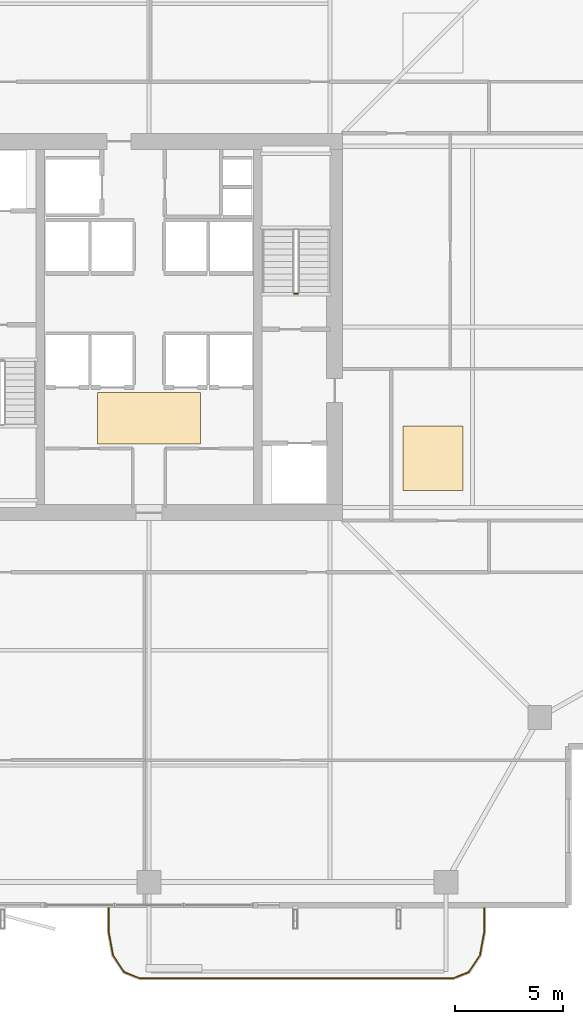
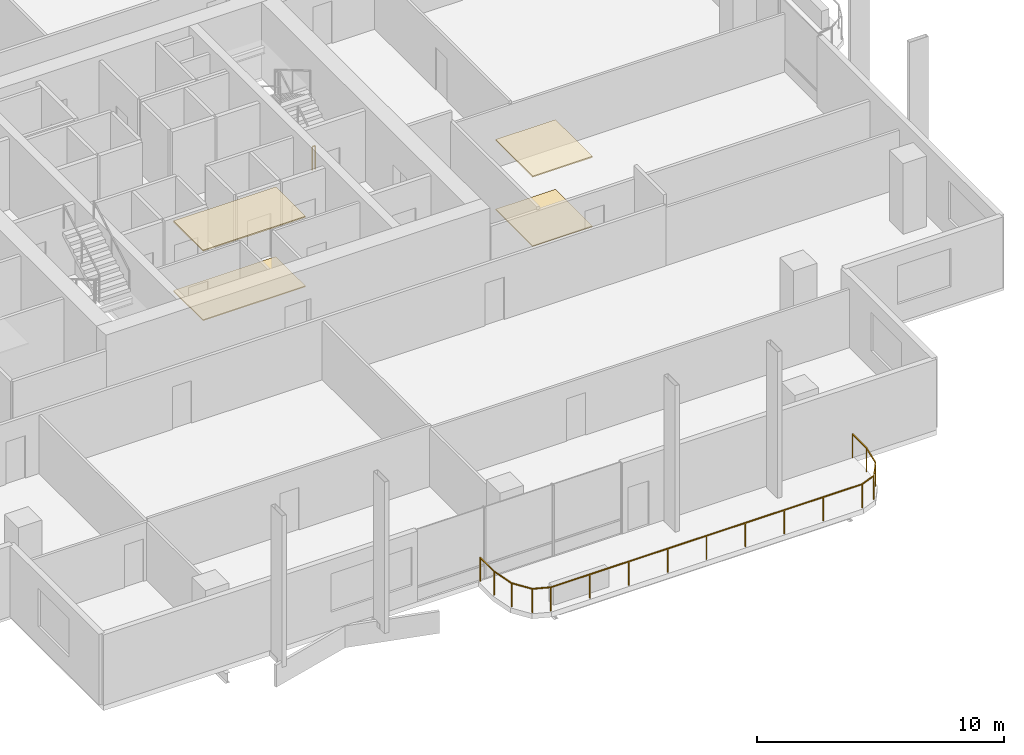
# One storey, part 22 of 24: 4 coverings, 2 railings.
"""IFC4 building model written with IfcOpenShell, lengths in metres."""

from ifc_helpers import new_model, si_unit, direction, frame, origin, origin_2d, place, context, subcontext, project, spatial, polyline, rectangle, outline, extrude, material, layer, layer_set, type_object, element, save


model = new_model("IFC4")

# Units and contexts
model_context = context("Model", 3, precision=1e-05, world=origin(), true_north=direction((0.0, 1.0)))
body_context = subcontext(model_context, "Body", "Model", "MODEL_VIEW")
ifc_project = project(units=[si_unit("LENGTHUNIT", "METRE"), si_unit("AREAUNIT", "SQUARE_METRE"), si_unit("VOLUMEUNIT", "CUBIC_METRE"), si_unit("PLANEANGLEUNIT", "RADIAN"), si_unit("MASSUNIT", "GRAM", prefix="KILO")], contexts=[model_context])

# Site, building, storey
site_placement = place(None, origin())
site = spatial("IfcSite", under=ifc_project, at=site_placement, CompositionType="ELEMENT")
building_placement = place(site_placement, origin())
building = spatial("IfcBuilding", under=site, at=building_placement, Name="Belovzor Exchange Tower", CompositionType="ELEMENT")
storey_placement = place(building_placement, frame((0.0, 0.0, 226.199951171875)))
storey = spatial("IfcBuildingStorey", under=building, at=storey_placement, Name="L56", CompositionType="ELEMENT", Elevation=226.199951171875)

# Railings
ifc_material_1 = material(Name="Stainless Steel and Laminated Safety Glass", Category="steel")
railing_type_1 = type_object("IfcRailingType", Name="Laminated Glass & Stainless Steel Balcony Balustrade 1200", PredefinedType="BALUSTRADE", material=ifc_material_1)
railing_1_placement = place(storey_placement, frame((26.929931640625, 1.7900390625, 0.0)))
element("IfcRailing", 1, at=railing_1_placement, inside=storey, type_object=railing_type_1, Name="GR-1 Balcony Balustrade L56 South", PredefinedType="BALUSTRADE", context=body_context, shape_type="SweptSolid", body=[
    extrude(rectangle(XDim=0.048095703125, YDim=0.048095703125, at=origin_2d()), frame((0.0, 0.0, 1.17578125), z_axis=(0.0, -1.0, 0.0), x_axis=(1.0, 0.0, 0.0)), (0.0, 0.0, 1.0), 1.133056640625),
    extrude(rectangle(XDim=0.048095703125, YDim=0.048095703125, at=origin_2d()), frame((0.0, -1.133056640625, 1.17578125), z_axis=(0.180122719713, -0.983644145941, 0.0), x_axis=(0.983644145941, 0.180122719713, 0.0)), (0.0, 0.0, 1.0), 1.09375),
    extrude(rectangle(XDim=0.048095703125, YDim=0.048095703125, at=origin_2d()), frame((0.197021484375, -2.208984375, 1.17578125), z_axis=(0.56294695933, -0.826493025367, 0.0), x_axis=(0.826493025367, 0.56294695933, 0.0)), (0.0, 0.0, 1.0), 0.932861328125),
    extrude(rectangle(XDim=0.048095703125, YDim=0.048095703125, at=origin_2d()), frame((0.72216796875, -2.97998046875, 1.17578125), z_axis=(0.930766990125, -0.365612923861, 0.0), x_axis=(0.365612923861, 0.930766990125, 0.0)), (0.0, 0.0, 1.0), 0.765869140625),
    extrude(rectangle(XDim=0.048095703125, YDim=0.048095703125, at=origin_2d()), frame((1.43505859375, -3.260009765625, 1.17578125), z_axis=(1.0, 0.0, 0.0), x_axis=(0.0, 1.0, 0.0)), (0.0, 0.0, 1.0), 14.570068359375),
    extrude(rectangle(XDim=0.048095703125, YDim=0.048095703125, at=origin_2d()), frame((16.005126953125, -3.260009765625, 1.17578125), z_axis=(0.930766990125, 0.365612923861, 0.0), x_axis=(-0.365612923861, 0.930766990125, 0.0)), (0.0, 0.0, 1.0), 0.765869140625),
    extrude(rectangle(XDim=0.048095703125, YDim=0.048095703125, at=origin_2d()), frame((16.718017578125, -2.97998046875, 1.17578125), z_axis=(0.56294695933, 0.826493025367, 0.0), x_axis=(-0.826493025367, 0.56294695933, 0.0)), (0.0, 0.0, 1.0), 0.932861328125),
    extrude(rectangle(XDim=0.048095703125, YDim=0.048095703125, at=origin_2d()), frame((17.2431640625, -2.208984375, 1.17578125), z_axis=(0.180122719713, 0.983644145941, 0.0), x_axis=(-0.983644145941, 0.180122719713, 0.0)), (0.0, 0.0, 1.0), 1.09375),
    extrude(rectangle(XDim=0.048095703125, YDim=0.048095703125, at=origin_2d()), frame((17.440185546875, -1.133056640625, 1.17578125), z_axis=(0.0, 1.0, 0.0), x_axis=(-1.0, 0.0, 0.0)), (0.0, 0.0, 1.0), 1.133056640625),
    extrude(rectangle(XDim=0.0419921875, YDim=0.0419921875, at=origin_2d()), origin(), (0.0, 0.0, 1.0), 1.15185546875),
    extrude(rectangle(XDim=0.0419921875, YDim=0.0419921875, at=origin_2d()), frame((0.0, -1.133056640625, 0.0)), (0.0, 0.0, 1.0), 1.15185546875),
    extrude(rectangle(XDim=0.0419921875, YDim=0.0419921875, at=origin_2d()), frame((0.197021484375, -2.208984375, 0.0)), (0.0, 0.0, 1.0), 1.15185546875),
    extrude(rectangle(XDim=0.0419921875, YDim=0.0419921875, at=origin_2d()), frame((0.72216796875, -2.97998046875, 0.0)), (0.0, 0.0, 1.0), 1.15185546875),
    extrude(rectangle(XDim=0.0419921875, YDim=0.0419921875, at=origin_2d()), frame((1.43505859375, -3.260009765625, 0.0)), (0.0, 0.0, 1.0), 1.15185546875),
    extrude(rectangle(XDim=0.0419921875, YDim=0.0419921875, at=origin_2d()), frame((3.25634765625, -3.260009765625, 0.0)), (0.0, 0.0, 1.0), 1.15185546875),
    extrude(rectangle(XDim=0.0419921875, YDim=0.0419921875, at=origin_2d()), frame((5.07763671875, -3.260009765625, 0.0)), (0.0, 0.0, 1.0), 1.15185546875),
    extrude(rectangle(XDim=0.0419921875, YDim=0.0419921875, at=origin_2d()), frame((6.89892578125, -3.260009765625, 0.0)), (0.0, 0.0, 1.0), 1.15185546875),
    extrude(rectangle(XDim=0.0419921875, YDim=0.0419921875, at=origin_2d()), frame((8.72021484375, -3.260009765625, 0.0)), (0.0, 0.0, 1.0), 1.15185546875),
    extrude(rectangle(XDim=0.0419921875, YDim=0.0419921875, at=origin_2d()), frame((10.541259765625, -3.260009765625, 0.0)), (0.0, 0.0, 1.0), 1.15185546875),
    extrude(rectangle(XDim=0.0419921875, YDim=0.0419921875, at=origin_2d()), frame((12.362548828125, -3.260009765625, 0.0)), (0.0, 0.0, 1.0), 1.15185546875),
    extrude(rectangle(XDim=0.0419921875, YDim=0.0419921875, at=origin_2d()), frame((14.183837890625, -3.260009765625, 0.0)), (0.0, 0.0, 1.0), 1.15185546875),
    extrude(rectangle(XDim=0.0419921875, YDim=0.0419921875, at=origin_2d()), frame((16.005126953125, -3.260009765625, 0.0)), (0.0, 0.0, 1.0), 1.15185546875),
    extrude(rectangle(XDim=0.0419921875, YDim=0.0419921875, at=origin_2d()), frame((16.718017578125, -2.97998046875, 0.0)), (0.0, 0.0, 1.0), 1.15185546875),
    extrude(rectangle(XDim=0.0419921875, YDim=0.0419921875, at=origin_2d()), frame((17.2431640625, -2.208984375, 0.0)), (0.0, 0.0, 1.0), 1.15185546875),
    extrude(rectangle(XDim=0.0419921875, YDim=0.0419921875, at=origin_2d()), frame((17.440185546875, -1.133056640625, 0.0)), (0.0, 0.0, 1.0), 1.15185546875),
    extrude(rectangle(XDim=0.0419921875, YDim=0.0419921875, at=origin_2d()), frame((17.440185546875, 0.0, 0.0)), (0.0, 0.0, 1.0), 1.15185546875),
])
ifc_material_2 = material(Name="Steel S355", Category="steel")
railing_type_2 = type_object("IfcRailingType", Name="Painted Steel Stairwell Guardrail 1200", PredefinedType="GUARDRAIL", material=ifc_material_2)
railing_2_placement = place(storey_placement, frame((35.699951171875, 30.35009765625, 0.0)))
element("IfcRailing", 2, at=railing_2_placement, inside=storey, type_object=railing_type_2, Name="L56 ST-2 stair guard 4", PredefinedType="GUARDRAIL", context=body_context, shape_type="SweptSolid", body=[
    extrude(rectangle(XDim=0.048095703125, YDim=0.048095703125, at=origin_2d()), frame((0.0, 0.0, 1.17578125), z_axis=(-1.0, 0.0, 0.0), x_axis=(0.0, -1.0, 0.0)), (0.0, 0.0, 1.0), 0.14990234375),
    extrude(rectangle(XDim=0.0419921875, YDim=0.0419921875, at=origin_2d()), origin(), (0.0, 0.0, 1.0), 1.15185546875),
    extrude(rectangle(XDim=0.0419921875, YDim=0.0419921875, at=origin_2d()), frame((-0.14990234375, 0.0, 0.0)), (0.0, 0.0, 1.0), 1.15185546875),
])

# Coverings
ifc_material_3 = material(Name="Perforated Powder-Coated Aluminium", Category="aluminium")
ifc_layer_1 = layer(ifc_material_3, 0.06005859375)
ifc_layer_set_1 = layer_set([ifc_layer_1], Name="Perforated Powder-Coated Aluminium")
covering_type_1 = type_object("IfcCoveringType", Name="Perforated Acoustic Metal Tile Suspended Ceiling 60", PredefinedType="CEILING", material=ifc_layer_set_1)
covering_1_placement = place(storey_placement, frame((0.0, 0.0, 3.43994140625)))
element("IfcCovering", 3, at=covering_1_placement, inside=storey, type_object=covering_type_1, Name="CLG-AC60 Suspended Ceiling CLG-L56-LOB", PredefinedType="CEILING", context=body_context, shape_type="SweptSolid", body=[
    extrude(outline(polyline([(26.39990234375, 23.35009765625), (31.199951171875, 23.35009765625), (31.199951171875, 25.75), (26.39990234375, 25.75), (26.39990234375, 23.35009765625)])), origin(), (0.0, 0.0, 1.0), 0.06005859375),
])
covering_2_placement = place(storey_placement, frame((0.0, 0.0, 3.43994140625)))
element("IfcCovering", 4, at=covering_2_placement, inside=storey, type_object=covering_type_1, Name="CLG-AC60 Suspended Ceiling CLG-L56-Z0", PredefinedType="CEILING", context=body_context, shape_type="SweptSolid", body=[
    extrude(outline(polyline([(40.60009765625, 21.199951171875), (43.39990234375, 21.199951171875), (43.39990234375, 24.199951171875), (40.60009765625, 24.199951171875), (40.60009765625, 21.199951171875)])), origin(), (0.0, 0.0, 1.0), 0.06005859375),
])
ifc_material_4 = material(Name="Polished Natural Granite Tile", Category="masonry")
ifc_layer_2 = layer(ifc_material_4, 0.050048828125)
ifc_layer_set_2 = layer_set([ifc_layer_2], Name="Polished Natural Granite Tile")
covering_type_2 = type_object("IfcCoveringType", Name="Polished Karelian Granite & Raised Access Floor Finish 50", PredefinedType="FLOORING", material=ifc_layer_set_2)
covering_3_placement = place(storey_placement, origin())
element("IfcCovering", 5, at=covering_3_placement, inside=storey, type_object=covering_type_2, Name="FLR-GR50 Floor Finish FLR-L56-LOB", PredefinedType="FLOORING", context=body_context, shape_type="SweptSolid", body=[
    extrude(outline(polyline([(26.39990234375, 23.35009765625), (31.199951171875, 23.35009765625), (31.199951171875, 25.75), (26.39990234375, 25.75), (26.39990234375, 23.35009765625)])), origin(), (0.0, 0.0, 1.0), 0.050048828125),
])
covering_4_placement = place(storey_placement, origin())
element("IfcCovering", 6, at=covering_4_placement, inside=storey, type_object=covering_type_2, Name="FLR-GR50 Floor Finish FLR-L56-Z0", PredefinedType="FLOORING", context=body_context, shape_type="SweptSolid", body=[
    extrude(outline(polyline([(40.60009765625, 21.199951171875), (43.39990234375, 21.199951171875), (43.39990234375, 24.199951171875), (40.60009765625, 24.199951171875), (40.60009765625, 21.199951171875)])), origin(), (0.0, 0.0, 1.0), 0.050048828125),
])

save(model, "model.ifc")
